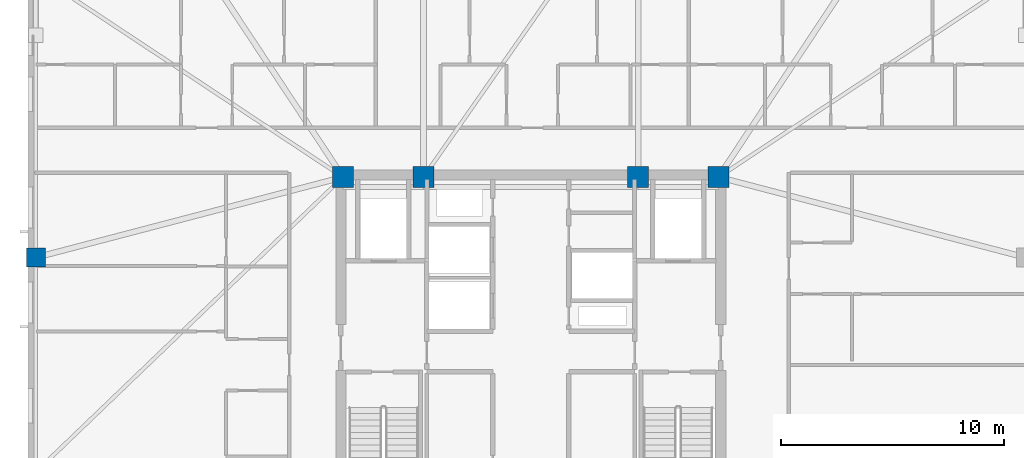
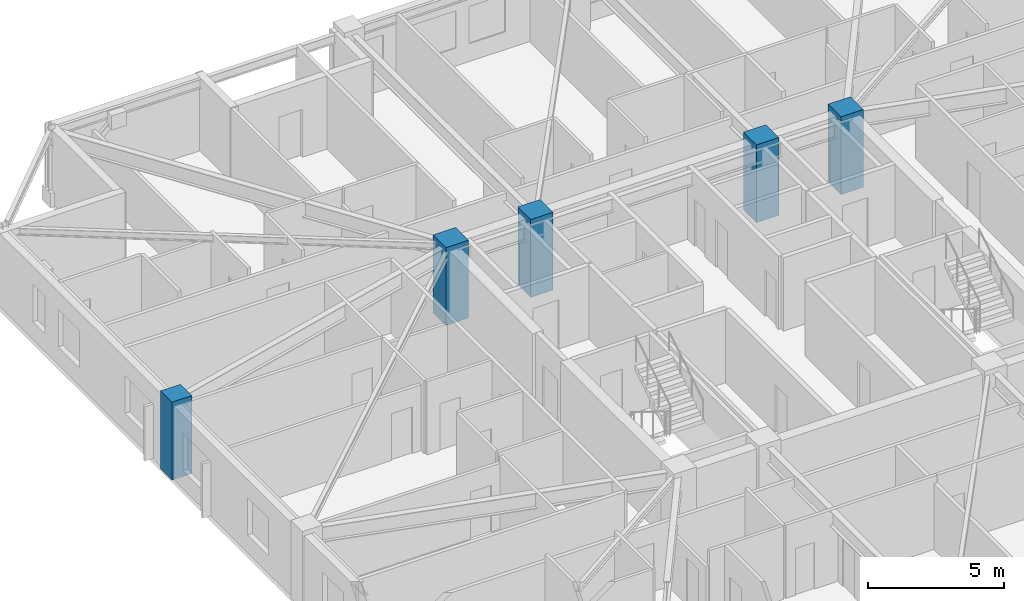
# One storey, part 2 of 17: 5 columns.
"""IFC4 building model written with IfcOpenShell, lengths in metres."""

from ifc_helpers import new_model, si_unit, direction, frame, origin, origin_2d, place, context, subcontext, project, spatial, rectangle, extrude, material, material_profile, profile_set, type_object, element, save


model = new_model("IFC4")

# Units and contexts
model_context = context("Model", 3, precision=1e-05, world=origin(), true_north=direction((0.0, 1.0)))
body_context = subcontext(model_context, "Body", "Model", "MODEL_VIEW")
ifc_project = project(units=[si_unit("LENGTHUNIT", "METRE"), si_unit("AREAUNIT", "SQUARE_METRE"), si_unit("VOLUMEUNIT", "CUBIC_METRE"), si_unit("PLANEANGLEUNIT", "RADIAN"), si_unit("MASSUNIT", "GRAM", prefix="KILO")], contexts=[model_context])

# Site, building, storey
site_placement = place(None, origin())
site = spatial("IfcSite", under=ifc_project, at=site_placement, CompositionType="ELEMENT")
building_placement = place(site_placement, origin())
building = spatial("IfcBuilding", under=site, at=building_placement, Name="Cairnveth Concourse Tower", CompositionType="ELEMENT")
storey_placement = place(building_placement, frame((0.0, 0.0, 223.5)))
storey = spatial("IfcBuildingStorey", under=building, at=storey_placement, Name="L61", CompositionType="ELEMENT", Elevation=223.5)

# Columns
ifc_material = material(Name="Concrete N65 (65 MPa)", Category="concrete")
ifc_material_profile_1 = material_profile(ifc_material, rectangle(XDim=0.949951171875, YDim=0.949951171875, at=origin_2d()), Name="RC-COL-950x950")
ifc_profile_set_1 = profile_set([ifc_material_profile_1], Name="Concrete N65 (65 MPa)")
column_type_1 = type_object("IfcColumnType", Name="CORE COLUMN 950X950", PredefinedType="COLUMN", material=ifc_profile_set_1)
for number, where, z_axis, x_axis, name in (
    (1, (43.60009765625, 47.39990234375, 0.0), (0.0, 0.0, 1.0), (1.0, 0.0, 0.0), "Column CC5 L61"),
    (2, (47.199951171875, 47.39990234375, 0.0), (0.0, 0.0, 1.0), (1.0, 0.0, 0.0), "Column CC6 L61"),
    (3, (56.800048828125, 47.39990234375, 0.0), (0.0, 0.0, 1.0), (1.0, 0.0, 0.0), "Column CC7 L61"),
    (4, (60.39990234375, 47.39990234375, 0.0), (0.0, 0.0, 1.0), (1.0, 0.0, 0.0), "Column CC8 L61"),
):
    element("IfcColumn", number, at=place(storey_placement, frame(where, z_axis=z_axis, x_axis=x_axis)), inside=storey, type_object=column_type_1, Name=name, PredefinedType="COLUMN", context=body_context, shape_type="SweptSolid", body=[
        extrude(rectangle(XDim=0.949951171875, YDim=0.949951171875, at=origin_2d()), origin(), (0.0, 0.0, 1.0), 3.5),
    ])
ifc_material_profile_2 = material_profile(ifc_material, rectangle(XDim=0.85009765625, YDim=0.85009765625, at=origin_2d()), Name="RC-COL-850x850")
ifc_profile_set_2 = profile_set([ifc_material_profile_2], Name="Concrete N65 (65 MPa)")
column_type_2 = type_object("IfcColumnType", Name="PERIMETER PIER COLUMN 850X850", PredefinedType="COLUMN", material=ifc_profile_set_2)
column_placement = place(storey_placement, frame((29.85009765625, 43.800048828125, 0.0), z_axis=(0.0, 0.0, 1.0), x_axis=(0.0, 1.0, 0.0)))
element("IfcColumn", 5, at=column_placement, inside=storey, type_object=column_type_2, Name="Column P-W2 L61", PredefinedType="COLUMN", context=body_context, shape_type="SweptSolid", body=[
    extrude(rectangle(XDim=0.85009765625, YDim=0.85009765625, at=origin_2d()), origin(), (0.0, 0.0, 1.0), 3.5),
])

save(model, "model.ifc")
